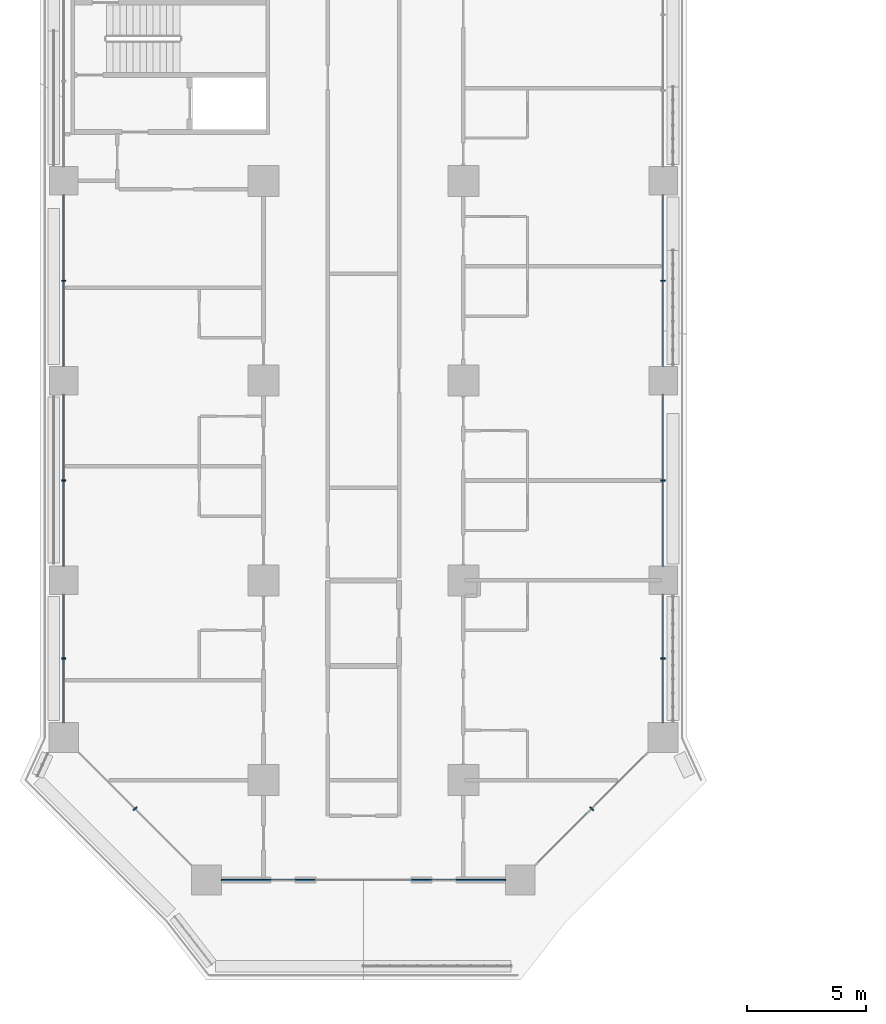
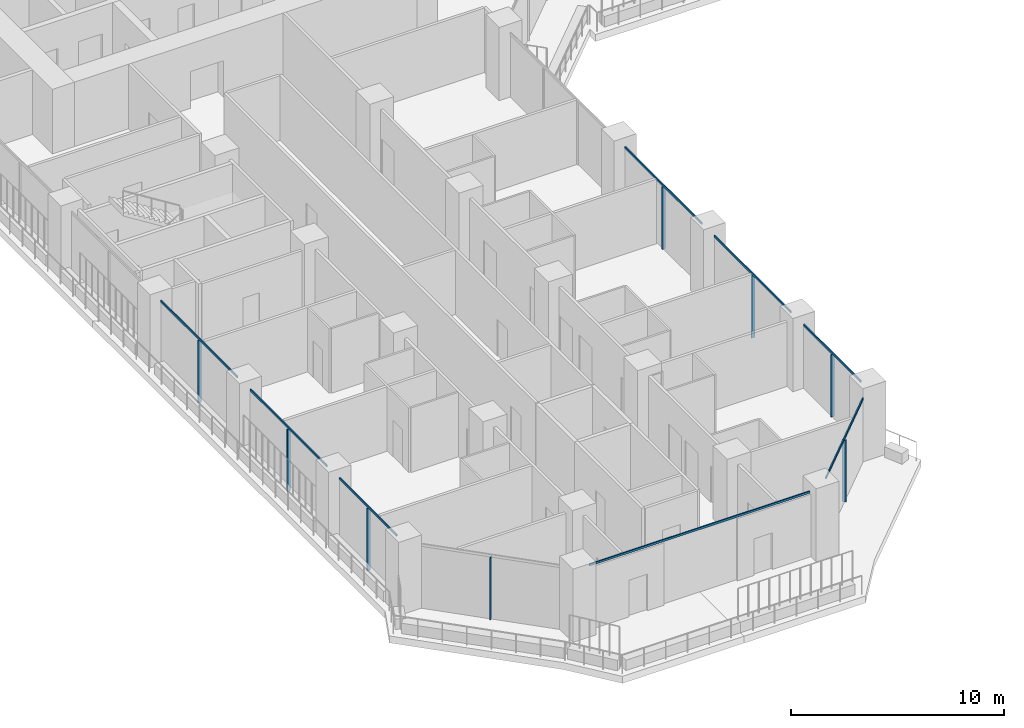
# One storey, part 2 of 28: 16 members, 5 elements without a shape of their own.
"""IFC4 building model written with IfcOpenShell, lengths in metres."""

from ifc_helpers import new_model, si_unit, direction, frame, origin, origin_2d, place, context, subcontext, project, spatial, rectangle, extrude, material, layer, layer_set, material_profile, profile_set, type_object, element, aggregate, save


model = new_model("IFC4")

# Units and contexts
model_context = context("Model", 3, precision=1e-05, world=origin(), true_north=direction((0.0, 1.0)))
body_context = subcontext(model_context, "Body", "Model", "MODEL_VIEW")
ifc_project = project(units=[si_unit("LENGTHUNIT", "METRE"), si_unit("AREAUNIT", "SQUARE_METRE"), si_unit("VOLUMEUNIT", "CUBIC_METRE"), si_unit("PLANEANGLEUNIT", "RADIAN"), si_unit("MASSUNIT", "GRAM", prefix="KILO")], contexts=[model_context])

# Site, building, storey
site_placement = place(None, origin())
site = spatial("IfcSite", under=ifc_project, at=site_placement, CompositionType="ELEMENT")
building_placement = place(site_placement, origin())
building = spatial("IfcBuilding", under=site, at=building_placement, Name="Kawkab Arch Medical Tower", CompositionType="ELEMENT")
storey_placement = place(building_placement, frame((0.0, 0.0, 89.60009765625)))
storey = spatial("IfcBuildingStorey", under=building, at=storey_placement, Name="L20", CompositionType="ELEMENT", Elevation=89.60009765625)

# Curtain wall, members
ifc_material_1 = material(Name="Bronze anodised aluminium curtain wall frame", Category="aluminium")
ifc_layer_1 = layer(ifc_material_1, 0.159912109375)
ifc_layer_set_1 = layer_set([ifc_layer_1], Name="Bronze anodised aluminium curtain wall frame")
curtain_wall_type_1 = type_object("IfcCurtainWallType", Name="CW1 ward curtain wall", PredefinedType="NOTDEFINED", material=ifc_layer_set_1)
placement = place(storey_placement, origin())
curtain_wall_1 = element("IfcCurtainWall", 1, at=placement, inside=storey, type_object=curtain_wall_type_1, Name="CW1 Ward curtain wall R01", PredefinedType="NOTDEFINED")
ifc_material_2 = material(Name="Bronze anodised aluminium curtain wall frame", Category="aluminium")
ifc_material_profile_1 = material_profile(ifc_material_2, rectangle(XDim=0.179931640625, YDim=0.06005859375, at=origin_2d()), Name="AL 60x180")
ifc_profile_set_1 = profile_set([ifc_material_profile_1], Name="Bronze anodised aluminium curtain wall frame")
member_type_1 = type_object("IfcMemberType", Name="CW1 mullion 60 x 180", PredefinedType="MULLION", material=ifc_profile_set_1)
member_1_placement = place(storey_placement, frame((0.0, -46.199951171875, 0.0), z_axis=(0.0, 0.0, 1.0), x_axis=(1.0, 0.0, 0.0)))
member_1 = element("IfcMember", 2, at=member_1_placement, type_object=member_type_1, Name="CW1 mullion 5.1", PredefinedType="MULLION", context=body_context, shape_type="SweptSolid", body=[
    extrude(rectangle(XDim=0.179931640625, YDim=0.06005859375, at=origin_2d()), origin(), (0.0, 0.0, 1.0), 3.579833984375),
])
member_2_placement = place(storey_placement, frame((0.0, -54.60009765625, 0.0), z_axis=(0.0, 0.0, 1.0), x_axis=(1.0, 0.0, 0.0)))
member_2 = element("IfcMember", 3, at=member_2_placement, type_object=member_type_1, Name="CW1 mullion 6.1", PredefinedType="MULLION", context=body_context, shape_type="SweptSolid", body=[
    extrude(rectangle(XDim=0.179931640625, YDim=0.06005859375, at=origin_2d()), origin(), (0.0, 0.0, 1.0), 3.579833984375),
])
member_3_placement = place(storey_placement, frame((0.0, -62.08740234375, 0.0), z_axis=(0.0, 0.0, 1.0), x_axis=(1.0, 0.0, 0.0)))
member_3 = element("IfcMember", 4, at=member_3_placement, type_object=member_type_1, Name="CW1 mullion 7.1", PredefinedType="MULLION", context=body_context, shape_type="SweptSolid", body=[
    extrude(rectangle(XDim=0.179931640625, YDim=0.06005859375, at=origin_2d()), origin(), (0.0, 0.0, 1.0), 3.579833984375),
])

curtain_wall_2 = element("IfcCurtainWall", 5, at=placement, inside=storey, type_object=curtain_wall_type_1, Name="CW1 Ward curtain wall R05", PredefinedType="NOTDEFINED")
member_4_placement = place(storey_placement, frame((25.199951171875, -62.08740234375, 0.0), z_axis=(0.0, 0.0, 1.0), x_axis=(-1.0, 0.0, 0.0)))
member_4 = element("IfcMember", 6, at=member_4_placement, type_object=member_type_1, Name="CW1 mullion 1.1", PredefinedType="MULLION", context=body_context, shape_type="SweptSolid", body=[
    extrude(rectangle(XDim=0.179931640625, YDim=0.06005859375, at=origin_2d()), origin(), (0.0, 0.0, 1.0), 3.579833984375),
])
member_5_placement = place(storey_placement, frame((25.199951171875, -54.60009765625, 0.0), z_axis=(0.0, 0.0, 1.0), x_axis=(-1.0, 0.0, 0.0)))
member_5 = element("IfcMember", 7, at=member_5_placement, type_object=member_type_1, Name="CW1 mullion 2.1", PredefinedType="MULLION", context=body_context, shape_type="SweptSolid", body=[
    extrude(rectangle(XDim=0.179931640625, YDim=0.06005859375, at=origin_2d()), origin(), (0.0, 0.0, 1.0), 3.579833984375),
])
member_6_placement = place(storey_placement, frame((25.199951171875, -46.199951171875, 0.0), z_axis=(0.0, 0.0, 1.0), x_axis=(-1.0, 0.0, 0.0)))
member_6 = element("IfcMember", 8, at=member_6_placement, type_object=member_type_1, Name="CW1 mullion 3.1", PredefinedType="MULLION", context=body_context, shape_type="SweptSolid", body=[
    extrude(rectangle(XDim=0.179931640625, YDim=0.06005859375, at=origin_2d()), origin(), (0.0, 0.0, 1.0), 3.579833984375),
])

# Member
ifc_material_3 = material(Name="Bronze anodised aluminium curtain wall frame", Category="aluminium")
ifc_material_profile_2 = material_profile(ifc_material_3, rectangle(XDim=0.06005859375, YDim=0.1201171875, at=origin_2d()), Name="AL 60x120")
ifc_profile_set_2 = profile_set([ifc_material_profile_2], Name="Bronze anodised aluminium curtain wall frame")
member_type_2 = type_object("IfcMemberType", Name="CW1 transom 120 x 60", PredefinedType="USERDEFINED", material=ifc_profile_set_2)
member_7_placement = place(storey_placement, frame((0.0, -42.60009765625, 3.639892578125), z_axis=(0.0, -1.0, 0.0), x_axis=(1.0, 0.0, 0.0)))
member_7 = element("IfcMember", 9, at=member_7_placement, type_object=member_type_2, Name="CW1 transom 5", ObjectType="TRANSOM", PredefinedType="USERDEFINED", context=body_context, shape_type="SweptSolid", body=[
    extrude(rectangle(XDim=0.06005859375, YDim=0.1201171875, at=origin_2d()), origin(), (0.0, 0.0, 1.0), 7.199951171875),
])

member_8_placement = place(storey_placement, frame((0.0, -51.0, 3.639892578125), z_axis=(0.0, -1.0, 0.0), x_axis=(1.0, 0.0, 0.0)))
member_8 = element("IfcMember", 10, at=member_8_placement, type_object=member_type_2, Name="CW1 transom 6", ObjectType="TRANSOM", PredefinedType="USERDEFINED", context=body_context, shape_type="SweptSolid", body=[
    extrude(rectangle(XDim=0.06005859375, YDim=0.1201171875, at=origin_2d()), origin(), (0.0, 0.0, 1.0), 7.199951171875),
])

member_9_placement = place(storey_placement, frame((0.0, -59.39990234375, 3.639892578125), z_axis=(0.0, -1.0, 0.0), x_axis=(1.0, 0.0, 0.0)))
member_9 = element("IfcMember", 11, at=member_9_placement, type_object=member_type_2, Name="CW1 transom 7", ObjectType="TRANSOM", PredefinedType="USERDEFINED", context=body_context, shape_type="SweptSolid", body=[
    extrude(rectangle(XDim=0.06005859375, YDim=0.1201171875, at=origin_2d()), origin(), (0.0, 0.0, 1.0), 5.375),
])

aggregate(curtain_wall_1, [member_7, member_1, member_8, member_2, member_9, member_3])

# Curtain wall, member
curtain_wall_3 = element("IfcCurtainWall", 12, at=placement, inside=storey, type_object=curtain_wall_type_1, Name="CW1 Ward curtain wall R03", PredefinedType="NOTDEFINED")
member_10_placement = place(storey_placement, frame((6.625, -71.39990234375, 3.639892578125), z_axis=(1.0, 0.0, 0.0), x_axis=(0.0, 1.0, 0.0)))
member_10 = element("IfcMember", 13, at=member_10_placement, type_object=member_type_2, Name="CW1 transom 1", ObjectType="TRANSOM", PredefinedType="USERDEFINED", context=body_context, shape_type="SweptSolid", body=[
    extrude(rectangle(XDim=0.06005859375, YDim=0.1201171875, at=origin_2d()), origin(), (0.0, 0.0, 1.0), 11.949951171875),
])
aggregate(curtain_wall_3, [member_10])

# Member
member_11_placement = place(storey_placement, frame((25.199951171875, -64.77490234375, 3.639892578125), z_axis=(0.0, 1.0, 0.0), x_axis=(-1.0, 0.0, 0.0)))
member_11 = element("IfcMember", 14, at=member_11_placement, type_object=member_type_2, Name="CW1 transom 1", ObjectType="TRANSOM", PredefinedType="USERDEFINED", context=body_context, shape_type="SweptSolid", body=[
    extrude(rectangle(XDim=0.06005859375, YDim=0.1201171875, at=origin_2d()), origin(), (0.0, 0.0, 1.0), 5.375),
])

member_12_placement = place(storey_placement, frame((25.199951171875, -58.199951171875, 3.639892578125), z_axis=(0.0, 1.0, 0.0), x_axis=(-1.0, 0.0, 0.0)))
member_12 = element("IfcMember", 15, at=member_12_placement, type_object=member_type_2, Name="CW1 transom 2", ObjectType="TRANSOM", PredefinedType="USERDEFINED", context=body_context, shape_type="SweptSolid", body=[
    extrude(rectangle(XDim=0.06005859375, YDim=0.1201171875, at=origin_2d()), origin(), (0.0, 0.0, 1.0), 7.199951171875),
])

member_13_placement = place(storey_placement, frame((25.199951171875, -49.800048828125, 3.639892578125), z_axis=(0.0, 1.0, 0.0), x_axis=(-1.0, 0.0, 0.0)))
member_13 = element("IfcMember", 16, at=member_13_placement, type_object=member_type_2, Name="CW1 transom 3", ObjectType="TRANSOM", PredefinedType="USERDEFINED", context=body_context, shape_type="SweptSolid", body=[
    extrude(rectangle(XDim=0.06005859375, YDim=0.1201171875, at=origin_2d()), origin(), (0.0, 0.0, 1.0), 7.199951171875),
])

aggregate(curtain_wall_2, [member_11, member_4, member_12, member_5, member_13, member_6])

# Curtain wall, member
ifc_material_4 = material(Name="Bronze anodised aluminium curtain wall frame", Category="aluminium")
ifc_layer_2 = layer(ifc_material_4, 0.159912109375)
ifc_layer_set_2 = layer_set([ifc_layer_2], Name="Bronze anodised aluminium curtain wall frame")
curtain_wall_type_2 = type_object("IfcCurtainWallType", Name="CW2 chamfer curtain wall", PredefinedType="NOTDEFINED", material=ifc_layer_set_2)
curtain_wall_4 = element("IfcCurtainWall", 17, at=placement, inside=storey, type_object=curtain_wall_type_2, Name="CW2 Chamfer curtain wall R02", PredefinedType="NOTDEFINED")
ifc_material_5 = material(Name="Bronze anodised aluminium curtain wall frame", Category="aluminium")
ifc_material_profile_3 = material_profile(ifc_material_5, rectangle(XDim=0.199951171875, YDim=0.06005859375, at=origin_2d()), Name="AL 60x200")
ifc_profile_set_3 = profile_set([ifc_material_profile_3], Name="Bronze anodised aluminium curtain wall frame")
member_type_3 = type_object("IfcMemberType", Name="CW2 mullion 60 x 200", PredefinedType="MULLION", material=ifc_profile_set_3)
member_14_placement = place(storey_placement, frame((3.0, -68.39990234375, 0.0), z_axis=(0.0, 0.0, 1.0), x_axis=(0.707106781187, 0.707106781187, 0.0)))
member_14 = element("IfcMember", 18, at=member_14_placement, type_object=member_type_3, Name="CW2 mullion 1.1", PredefinedType="MULLION", context=body_context, shape_type="SweptSolid", body=[
    extrude(rectangle(XDim=0.199951171875, YDim=0.06005859375, at=origin_2d()), origin(), (0.0, 0.0, 1.0), 3.559814453125),
])
aggregate(curtain_wall_4, [member_14])

# Curtain wall, members
curtain_wall_5 = element("IfcCurtainWall", 19, at=placement, inside=storey, type_object=curtain_wall_type_2, Name="CW2 Chamfer curtain wall R04", PredefinedType="NOTDEFINED")
member_15_placement = place(storey_placement, frame((22.199951171875, -68.39990234375, 0.0), z_axis=(0.0, 0.0, 1.0), x_axis=(-0.707106781187, 0.707106781187, 0.0)))
member_15 = element("IfcMember", 20, at=member_15_placement, type_object=member_type_3, Name="CW2 mullion 1.1", PredefinedType="MULLION", context=body_context, shape_type="SweptSolid", body=[
    extrude(rectangle(XDim=0.199951171875, YDim=0.06005859375, at=origin_2d()), origin(), (0.0, 0.0, 1.0), 3.559814453125),
])
ifc_material_6 = material(Name="Bronze anodised aluminium curtain wall frame", Category="aluminium")
ifc_material_profile_4 = material_profile(ifc_material_6, rectangle(XDim=0.06005859375, YDim=0.139892578125, at=origin_2d()), Name="AL 60x140")
ifc_profile_set_4 = profile_set([ifc_material_profile_4], Name="Bronze anodised aluminium curtain wall frame")
member_type_4 = type_object("IfcMemberType", Name="CW2 transom 140 x 60", PredefinedType="USERDEFINED", material=ifc_profile_set_4)
member_16_placement = place(storey_placement, frame((19.824951171875, -70.77490234375, 3.6298828125), z_axis=(0.707106781187, 0.707106781187, 0.0), x_axis=(-0.707106781187, 0.707106781187, 0.0)))
member_16 = element("IfcMember", 21, at=member_16_placement, type_object=member_type_4, Name="CW2 transom 1", ObjectType="TRANSOM", PredefinedType="USERDEFINED", context=body_context, shape_type="SweptSolid", body=[
    extrude(rectangle(XDim=0.06005859375, YDim=0.139892578125, at=origin_2d()), origin(), (0.0, 0.0, 1.0), 6.717529296875),
])
aggregate(curtain_wall_5, [member_16, member_15])

save(model, "model.ifc")
